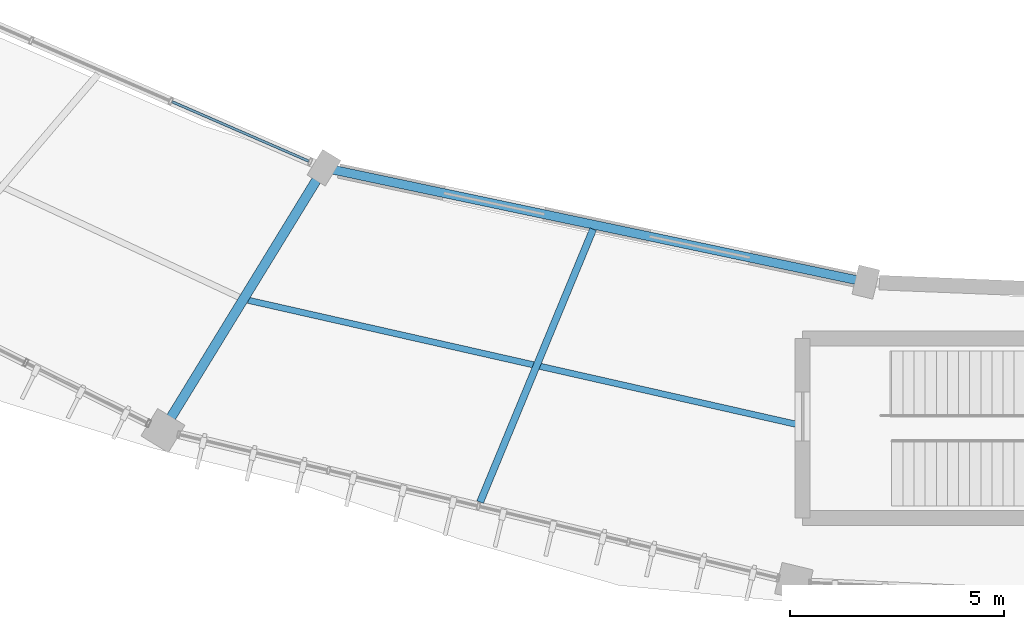
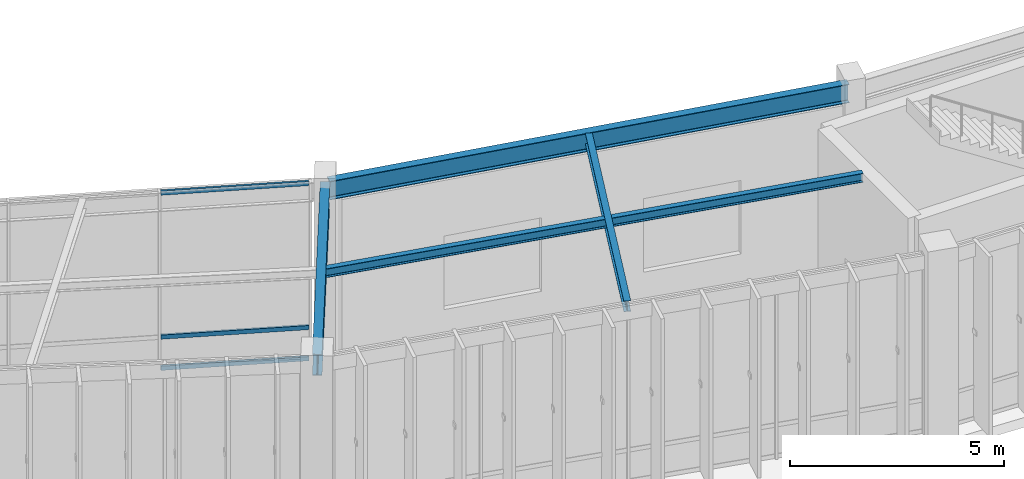
# One storey, part 57 of 157: 4 beams, 3 members, 1 element without a shape of its own.
"""IFC4 building model written with IfcOpenShell, lengths in metres."""

import ifcopenshell
import ifcopenshell.guid

model = None  # the IFC model being written
_history = None  # IfcOwnerHistory: only IFC2X3 demands one
_inside = {}  # id of a spatial element -> (the spatial element, [elements in it])
_under = {}  # id of a project, library or spatial element -> (it, [spatial elements below it])
_declared = {}  # id of a project -> (the project, [libraries it declares])
_typed = {}  # id of a type object -> (the type object, [elements of that type])
_made_of = {}  # id of a material, layer set ... -> (it, [elements and type objects made of it])


def new_model(schema):
    """Start an empty IFC model of exactly this schema.

    Asked for "IFC4X3", IfcOpenShell would pick the latest addendum, in which some entities
    have other attributes; the version numbers below select the first issue.
    IFC2X3 requires an IfcOwnerHistory on every rooted entity: one is made here for all.
    """
    global model, _history
    if schema == "IFC4X3":
        model = ifcopenshell.file(schema_version=(4, 3, 0, 0))
    else:
        model = ifcopenshell.file(schema=schema)
    _inside.clear()
    _under.clear()
    _declared.clear()
    _typed.clear()
    _made_of.clear()
    _history = None
    if model.schema == "IFC2X3":
        org = make("IfcOrganization", Name="unknown")
        user = make(
            "IfcPersonAndOrganization",
            ThePerson=make("IfcPerson", FamilyName="unknown"),
            TheOrganization=org,
        )
        app = make(
            "IfcApplication",
            ApplicationDeveloper=org,
            Version="unknown",
            ApplicationFullName="unknown",
            ApplicationIdentifier="unknown",
        )
        _history = make(
            "IfcOwnerHistory",
            OwningUser=user,
            OwningApplication=app,
            ChangeAction="ADDED",
            CreationDate=0,
        )
    return model


def make(cls, **values):
    """One entity of the class cls with the attributes given. An attribute that is None is left unset."""
    return model.create_entity(
        cls, **{name: value for name, value in values.items() if value is not None}
    )


def rooted(cls, **values):
    """An entity with a GlobalId (a new one), such as an element, a storey or a relation."""
    return make(cls, GlobalId=ifcopenshell.guid.new(), OwnerHistory=_history, **values)


def si_unit(unit_type, name, prefix=None):
    """IfcSIUnit, for example si_unit("LENGTHUNIT", "METRE", prefix="MILLI")."""
    return make("IfcSIUnit", UnitType=unit_type, Prefix=prefix, Name=name)


def assignment(units):
    """IfcUnitAssignment: the units of a project."""
    return None if units is None else make("IfcUnitAssignment", Units=units)


def point(xyz):
    """IfcCartesianPoint."""
    return None if xyz is None else make("IfcCartesianPoint", Coordinates=xyz)


def direction(xyz):
    """IfcDirection."""
    return None if xyz is None else make("IfcDirection", DirectionRatios=xyz)


def frame(location, z_axis=None, x_axis=None):
    """IfcAxis2Placement3D, a coordinate frame: its origin and axes. An axis left out is left unset."""
    return make(
        "IfcAxis2Placement3D",
        Location=point(location),
        Axis=direction(z_axis),
        RefDirection=direction(x_axis),
    )


def frame_2d(location, x_axis=None):
    """IfcAxis2Placement2D, a coordinate frame in the plane: its origin and x axis."""
    return make(
        "IfcAxis2Placement2D", Location=point(location), RefDirection=direction(x_axis)
    )


def origin():
    """The frame at (0, 0, 0) with its axes left unset."""
    return frame((0.0, 0.0, 0.0))


def origin_2d():
    """The frame at (0, 0) in the plane with its x axis left unset."""
    return frame_2d((0.0, 0.0))


def place(relative_to, where):
    """IfcLocalPlacement: puts the frame where relative to a parent placement (None: the world)."""
    return make(
        "IfcLocalPlacement", PlacementRelTo=relative_to, RelativePlacement=where
    )


def context(
    kind, dimensions, precision=None, world=None, true_north=None, identifier=None
):
    """IfcGeometricRepresentationContext, for example the 3D "Model" context."""
    return make(
        "IfcGeometricRepresentationContext",
        ContextIdentifier=identifier,
        ContextType=kind,
        CoordinateSpaceDimension=dimensions,
        Precision=precision,
        WorldCoordinateSystem=world,
        TrueNorth=true_north,
    )


def subcontext(parent, identifier, kind, view, scale=None):
    """IfcGeometricRepresentationSubContext, for example "Body" below "Model"."""
    return make(
        "IfcGeometricRepresentationSubContext",
        ContextIdentifier=identifier,
        ContextType=kind,
        ParentContext=parent,
        TargetScale=scale,
        TargetView=view,
    )


def project(units=None, contexts=None):
    """IfcProject with its units and contexts."""
    return rooted(
        "IfcProject",
        Name="project",
        RepresentationContexts=contexts,
        UnitsInContext=assignment(units),
    )


def spatial(cls, under=None, at=None, **own):
    """A site, building, storey or space (cls), placed at a placement, below another one or the project."""
    s = rooted(cls, ObjectPlacement=at, **own)
    if under is not None:
        _under.setdefault(under.id(), (under, []))[1].append(s)
    return s


def profile(cls, at=None, kind="AREA", **sizes):
    """A parametric profile (cls). Its sizes go by their IFC names, for example OverallWidth=200.0."""
    return make(cls, ProfileType=kind, Position=at, **sizes)


def hollow_rectangle(**sizes):
    """IfcRectangleHollowProfileDef."""
    return profile("IfcRectangleHollowProfileDef", **sizes)


def i_section(**sizes):
    """IfcIShapeProfileDef."""
    return profile("IfcIShapeProfileDef", **sizes)


def extrude(swept, where, along, depth):
    """IfcExtrudedAreaSolid: the profile swept, set in the frame where, extruded along a direction by depth."""
    return make(
        "IfcExtrudedAreaSolid",
        SweptArea=swept,
        Position=where,
        ExtrudedDirection=direction(along),
        Depth=depth,
    )


def shape(context_of_items, identifier, shape_type, items):
    """IfcShapeRepresentation: the items that make up one representation, for example the "Body"."""
    return make(
        "IfcShapeRepresentation",
        ContextOfItems=context_of_items,
        RepresentationIdentifier=identifier,
        RepresentationType=shape_type,
        Items=items,
    )


def material(Name=None, Category=None):
    """IfcMaterial."""
    return make("IfcMaterial", Name=Name, Category=Category)


def material_profile(
    of_material, cross_section, Name=None, Category=None, Priority=None
):
    """IfcMaterialProfile: a cross section and its material."""
    return make(
        "IfcMaterialProfile",
        Name=Name,
        Material=of_material,
        Profile=cross_section,
        Priority=Priority,
        Category=Category,
    )


def profile_set(profiles, Name=None, composite=None):
    """IfcMaterialProfileSet."""
    return make(
        "IfcMaterialProfileSet",
        Name=Name,
        MaterialProfiles=profiles,
        CompositeProfile=composite,
    )


def made_of(thing, what):
    """Note that an element or type object is made of a material, layer set ...; save() writes the relation."""
    if what is not None:
        _made_of.setdefault(what.id(), (what, []))[1].append(thing)
    return thing


def type_object(cls, material=None, **own):
    """A type object (cls), such as IfcWallType, which elements share."""
    return made_of(rooted(cls, **own), material)


def element(
    cls,
    number,
    at=None,
    inside=None,
    cuts=None,
    type_object=None,
    material=None,
    context=None,
    identifier="Body",
    shape_type=None,
    held_by="IfcProductDefinitionShape",
    body=None,
    shapes=None,
    **own,
):
    """One element of the class cls, such as IfcWall. Its Tag is "e" and its number.

    at: its placement. inside: the storey or other place that contains it. cuts: it is an
    opening in that element (IfcRelVoidsElement). A single representation is given by context,
    identifier, shape_type and body (its items); several are given by shapes. held_by: the class
    of the entity that holds the representations. save() writes the other relations.
    """
    e = rooted(cls, Tag="e%d" % number, ObjectPlacement=at, **own)
    if body is not None:
        shapes = [shape(context, identifier, shape_type, body)]
    if shapes is not None:
        e.Representation = make(held_by, Representations=shapes)
    if inside is not None:
        _inside.setdefault(inside.id(), (inside, []))[1].append(e)
    if cuts is not None:
        rooted(
            "IfcRelVoidsElement", RelatingBuildingElement=cuts, RelatedOpeningElement=e
        )
    if type_object is not None:
        _typed.setdefault(type_object.id(), (type_object, []))[1].append(e)
    return made_of(e, material)


def aggregate(whole, parts):
    """IfcRelAggregates: a whole, such as a stair, and the parts it consists of."""
    return rooted("IfcRelAggregates", RelatingObject=whole, RelatedObjects=parts)


def save(model, path):
    """Write the relations noted so far, then the file.

    IfcRelAggregates (storeys below a building ...), IfcRelContainedInSpatialStructure (elements
    in a storey), IfcRelDefinesByType, IfcRelAssociatesMaterial and IfcRelDeclares: one each for
    every whole, place, type object, material and project.
    """
    for whole, parts in _under.values():
        aggregate(whole, parts)
    for where, things in _inside.values():
        rooted(
            "IfcRelContainedInSpatialStructure",
            RelatedElements=things,
            RelatingStructure=where,
        )
    for kind, things in _typed.values():
        rooted("IfcRelDefinesByType", RelatedObjects=things, RelatingType=kind)
    for what, things in _made_of.values():
        rooted("IfcRelAssociatesMaterial", RelatedObjects=things, RelatingMaterial=what)
    for by, libraries in _declared.values():
        rooted("IfcRelDeclares", RelatingContext=by, RelatedDefinitions=libraries)
    model.write(path)


model = new_model("IFC4")

# Units and contexts
model_context = context("Model", 3, precision=1e-05, world=origin(), true_north=direction((0.0, 1.0)))
body_context = subcontext(model_context, "Body", "Model", "MODEL_VIEW")
ifc_project = project(units=[si_unit("LENGTHUNIT", "METRE"), si_unit("AREAUNIT", "SQUARE_METRE"), si_unit("VOLUMEUNIT", "CUBIC_METRE"), si_unit("PLANEANGLEUNIT", "RADIAN"), si_unit("MASSUNIT", "GRAM", prefix="KILO"), si_unit("THERMODYNAMICTEMPERATUREUNIT", "KELVIN"), si_unit("POWERUNIT", "WATT")], contexts=[model_context])

# Site, building, storey
site_placement = place(None, origin())
site = spatial("IfcSite", under=ifc_project, at=site_placement, CompositionType="ELEMENT")
building_placement = place(site_placement, origin())
building = spatial("IfcBuilding", under=site, at=building_placement, Name="Darbajah Civic Hall", CompositionType="ELEMENT")
storey_placement = place(building_placement, origin())
storey = spatial("IfcBuildingStorey", under=building, at=storey_placement, Name="L00", CompositionType="ELEMENT", Elevation=0.0)

# Curtain wall, members
ifc_material_1 = material(Name="Anodised Bronze Aluminium and Low-E Glazing", Category="aluminium")
curtain_wall_type = type_object("IfcCurtainWallType", Name="Unitised Curtain Wall CW-01 10700x5100", PredefinedType="USERDEFINED", material=ifc_material_1)
curtain_wall_placement = place(storey_placement, origin())
curtain_wall = element("IfcCurtainWall", 1, at=curtain_wall_placement, inside=storey, type_object=curtain_wall_type, Name="L00 unitised curtain wall CW-V1I-L00-12", ObjectType="UNITISED CURTAIN WALL", PredefinedType="USERDEFINED")
ifc_material_2 = material(Name="Anodised Bronze Aluminium", Category="aluminium")
ifc_material_profile_1 = material_profile(ifc_material_2, hollow_rectangle(XDim=0.06005859375, YDim=0.1201171875, WallThickness=0.003173828125, at=origin_2d()), Name="ALU TRANSOM 60x120")
ifc_profile_set_1 = profile_set([ifc_material_profile_1], Name="Anodised Bronze Aluminium")
member_type = type_object("IfcMemberType", Name="ALU TRANSOM 60x120", PredefinedType="USERDEFINED", material=ifc_profile_set_1)
member_1_placement = place(storey_placement, frame((62.66552734375, 72.329345703125, 0.06005859375), z_axis=(0.91705111066, -0.398769683448, 0.0), x_axis=(0.398769683448, 0.91705111066, 0.0)))
member_1 = element("IfcMember", 2, at=member_1_placement, type_object=member_type, Name="CW-V1I-L00-12 transom 3.1", ObjectType="TRANSOM", PredefinedType="USERDEFINED", context=body_context, shape_type="SweptSolid", body=[
    extrude(hollow_rectangle(XDim=0.06005859375, YDim=0.1201171875, WallThickness=0.003173828125, at=origin_2d()), origin(), (0.0, 0.0, 1.0), 3.48291015625),
])
member_2_placement = place(storey_placement, frame((62.66552734375, 72.329345703125, 0.949951171875), z_axis=(0.91705111066, -0.398769683448, 0.0), x_axis=(0.398769683448, 0.91705111066, 0.0)))
member_2 = element("IfcMember", 3, at=member_2_placement, type_object=member_type, Name="CW-V1I-L00-12 transom 3.2", ObjectType="TRANSOM", PredefinedType="USERDEFINED", context=body_context, shape_type="SweptSolid", body=[
    extrude(hollow_rectangle(XDim=0.06005859375, YDim=0.1201171875, WallThickness=0.003173828125, at=origin_2d()), origin(), (0.0, 0.0, 1.0), 3.48291015625),
])
member_3_placement = place(storey_placement, frame((62.66552734375, 72.329345703125, 5.06005859375), z_axis=(0.91705111066, -0.398769683448, 0.0), x_axis=(0.398769683448, 0.91705111066, 0.0)))
member_3 = element("IfcMember", 4, at=member_3_placement, type_object=member_type, Name="CW-V1I-L00-12 transom 3.3", ObjectType="TRANSOM", PredefinedType="USERDEFINED", context=body_context, shape_type="SweptSolid", body=[
    extrude(hollow_rectangle(XDim=0.06005859375, YDim=0.1201171875, WallThickness=0.003173828125, at=origin_2d()), origin(), (0.0, 0.0, 1.0), 3.48291015625),
])
aggregate(curtain_wall, [member_1, member_2, member_3])

# Beams
ifc_material_3 = material(Name="Steel S355JR", Category="steel")
ifc_material_profile_2 = material_profile(ifc_material_3, i_section(OverallWidth=0.146484375, OverallDepth=0.256103515625, WebThickness=0.00634765625, FlangeThickness=0.010986328125, FilletRadius=0.007568359375, at=origin_2d()), Name="UB 254x146x37")
ifc_profile_set_2 = profile_set([ifc_material_profile_2], Name="Steel S355JR")
beam_type_1 = type_object("IfcBeamType", Name="UB 254x146x37", PredefinedType="JOIST", material=ifc_profile_set_2)
beam_1_placement = place(storey_placement, frame((64.44677734375, 67.69091796875, 4.991943359375), z_axis=(0.975333080849, -0.220738264473, 0.0), x_axis=(0.220738264473, 0.975333080849, 0.0)))
element("IfcBeam", 5, at=beam_1_placement, inside=storey, type_object=beam_type_1, Name="L00 beam SJ-254", PredefinedType="JOIST", context=body_context, shape_type="SweptSolid", body=[
    extrude(i_section(OverallWidth=0.146484375, OverallDepth=0.256103515625, WebThickness=0.00634765625, FlangeThickness=0.010986328125, FilletRadius=0.007568359375, at=origin_2d()), origin(), (0.0, 0.0, 1.0), 13.13720703125),
])
ifc_material_profile_3 = material_profile(ifc_material_3, i_section(OverallWidth=0.165771484375, OverallDepth=0.306640625, WebThickness=0.006591796875, FlangeThickness=0.01171875, FilletRadius=0.0087890625, at=origin_2d()), Name="UB 305x165x46")
ifc_profile_set_3 = profile_set([ifc_material_profile_3], Name="Steel S355JR")
beam_type_2 = type_object("IfcBeamType", Name="UB 305x165x46", PredefinedType="JOIST", material=ifc_profile_set_3)
beam_2_placement = place(storey_placement, frame((72.50439453125, 69.353271484375, 4.966796875), z_axis=(-0.382685995053, -0.923878471007, 0.0), x_axis=(0.923878471007, -0.382685995053, 0.0)))
element("IfcBeam", 6, at=beam_2_placement, inside=storey, type_object=beam_type_2, Name="L00 beam SJ-305", PredefinedType="JOIST", context=body_context, shape_type="SweptSolid", body=[
    extrude(i_section(OverallWidth=0.165771484375, OverallDepth=0.306640625, WebThickness=0.006591796875, FlangeThickness=0.01171875, FilletRadius=0.0087890625, at=origin_2d()), origin(), (0.0, 0.0, 1.0), 6.9033203125),
])
ifc_material_profile_4 = material_profile(ifc_material_3, i_section(OverallWidth=0.209228515625, OverallDepth=0.533203125, WebThickness=0.010009765625, FlangeThickness=0.015625, FilletRadius=0.0126953125, at=origin_2d()), Name="UB 533x210x92")
ifc_profile_set_4 = profile_set([ifc_material_profile_4], Name="Steel S355JR")
beam_type_3 = type_object("IfcBeamType", Name="UB 533x210x92", PredefinedType="BEAM", material=ifc_profile_set_4)
beam_3_placement = place(storey_placement, frame((66.29296875, 70.76953125, 4.853515625), z_axis=(0.97848162244, -0.206333987862, 0.0), x_axis=(0.206333987862, 0.97848162244, 0.0)))
element("IfcBeam", 7, at=beam_3_placement, inside=storey, type_object=beam_type_3, Name="L00 beam SB-533", PredefinedType="BEAM", context=body_context, shape_type="SweptSolid", body=[
    extrude(i_section(OverallWidth=0.209228515625, OverallDepth=0.533203125, WebThickness=0.010009765625, FlangeThickness=0.015625, FilletRadius=0.0126953125, at=origin_2d()), origin(), (0.0, 0.0, 1.0), 12.77880859375),
])
ifc_material_profile_5 = material_profile(ifc_material_3, i_section(OverallWidth=0.228271484375, OverallDepth=0.607666015625, WebThickness=0.010986328125, FlangeThickness=0.017333984375, FilletRadius=0.0126953125, at=origin_2d()), Name="UB 610x229x113")
ifc_profile_set_5 = profile_set([ifc_material_profile_5], Name="Steel S355JR")
beam_type_4 = type_object("IfcBeamType", Name="UB 610x229x113", PredefinedType="BEAM", material=ifc_profile_set_5)
beam_4_placement = place(storey_placement, frame((66.1728515625, 70.718017578125, 4.816162109375), z_axis=(-0.522500254411, -0.852639128905, 0.0), x_axis=(0.852639128905, -0.522500254411, 0.0)))
element("IfcBeam", 8, at=beam_4_placement, inside=storey, type_object=beam_type_4, Name="L00 beam SB-610", PredefinedType="BEAM", context=body_context, shape_type="SweptSolid", body=[
    extrude(i_section(OverallWidth=0.228271484375, OverallDepth=0.607666015625, WebThickness=0.010986328125, FlangeThickness=0.017333984375, FilletRadius=0.0126953125, at=origin_2d()), origin(), (0.0, 0.0, 1.0), 7.0400390625),
])

save(model, "model.ifc")
